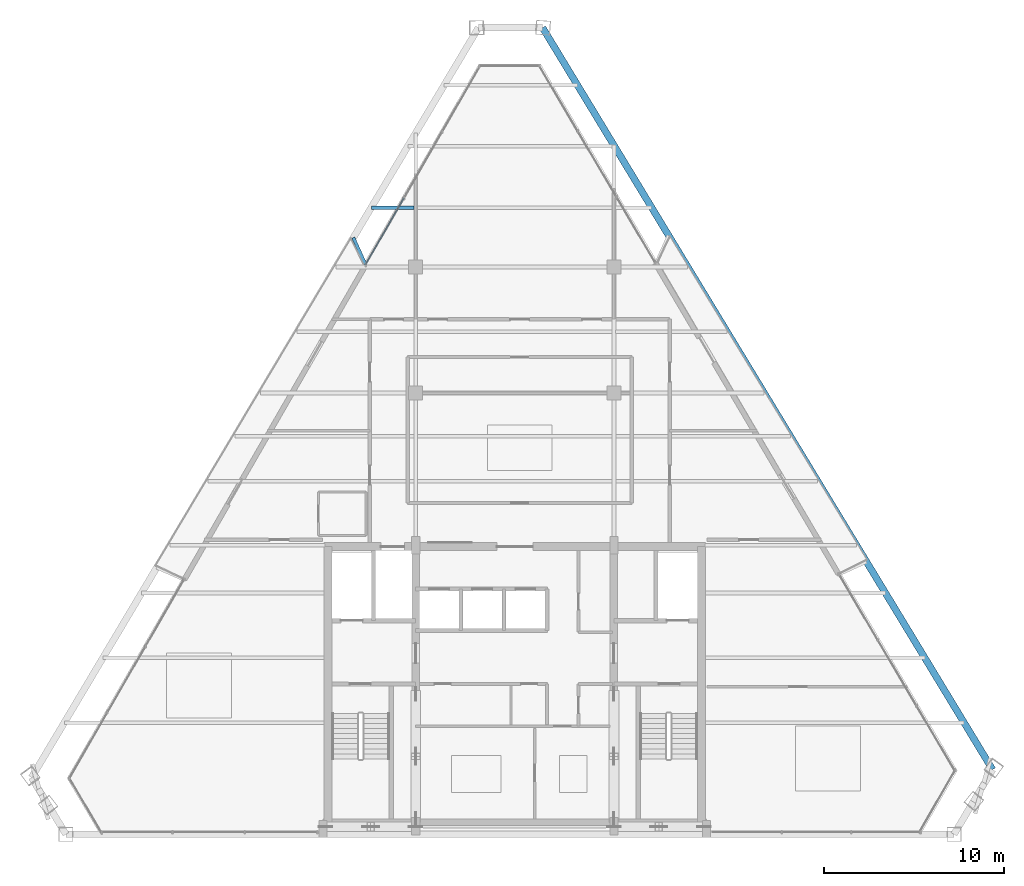
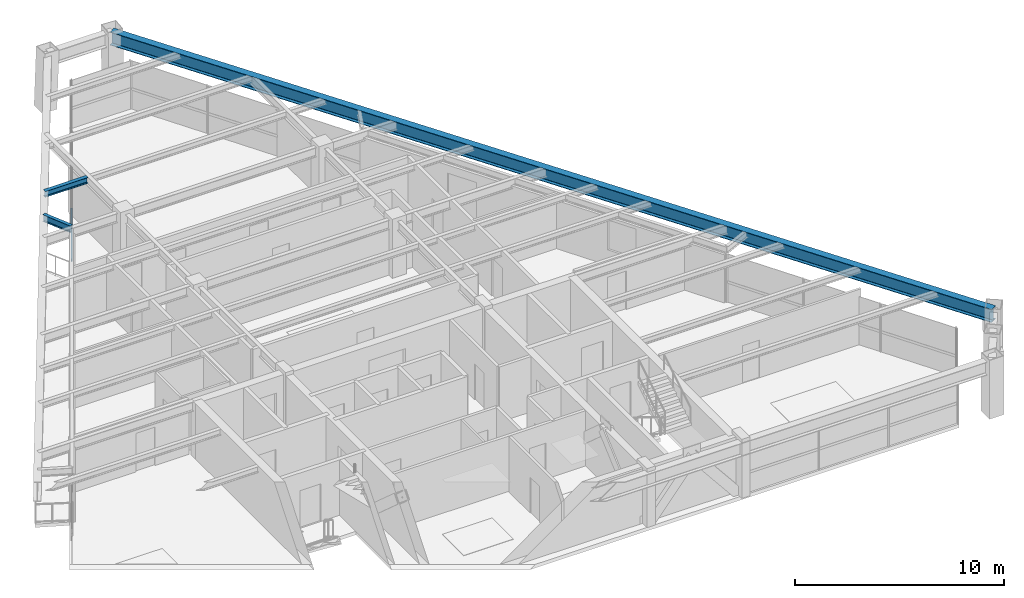
# One storey, part 6 of 13: 3 beams, 1 member, 1 element without a shape of its own.
"""IFC4 building model written with IfcOpenShell, lengths in metres."""

from ifc_helpers import new_model, si_unit, direction, frame, origin, origin_2d, place, context, subcontext, project, spatial, rectangle, i_section, extrude, source, transform, mapped, material, material_profile, profile_set, type_object, element, aggregate, save


model = new_model("IFC4")

# Units and contexts
model_context = context("Model", 3, precision=1e-05, world=origin(), true_north=direction((0.0, 1.0)))
body_context = subcontext(model_context, "Body", "Model", "MODEL_VIEW")
ifc_project = project(units=[si_unit("LENGTHUNIT", "METRE"), si_unit("AREAUNIT", "SQUARE_METRE"), si_unit("VOLUMEUNIT", "CUBIC_METRE"), si_unit("PLANEANGLEUNIT", "RADIAN"), si_unit("MASSUNIT", "GRAM", prefix="KILO")], contexts=[model_context])

# Site, building, storey
site_placement = place(None, origin())
site = spatial("IfcSite", under=ifc_project, at=site_placement, CompositionType="ELEMENT")
building_placement = place(site_placement, origin())
building = spatial("IfcBuilding", under=site, at=building_placement, Name="Varnakhor Terracotta Tower", CompositionType="ELEMENT")
storey_placement = place(building_placement, frame((0.0, 0.0, 279.89990234375)))
storey = spatial("IfcBuildingStorey", under=building, at=storey_placement, Name="L73", CompositionType="ELEMENT", Elevation=279.89990234375)

# Beams
ifc_material_1 = material(Name="Steel S355", Category="steel")
ifc_material_profile_1 = material_profile(ifc_material_1, i_section(OverallWidth=0.381103515625, OverallDepth=0.77294921875, WebThickness=0.01708984375, FlangeThickness=0.027099609375, FilletRadius=0.01806640625, at=origin_2d()), Name="W30X173")
ifc_profile_set_1 = profile_set([ifc_material_profile_1], Name="Steel S355")
beam_type_1 = type_object("IfcBeamType", Name="BM-W30X173", PredefinedType="BEAM", material=ifc_profile_set_1)
shared_shape_1 = source(origin(), body_context, "Body", "SweptSolid", [
    extrude(i_section(OverallWidth=0.381103515625, OverallDepth=0.77294921875, WebThickness=0.01708984375, FlangeThickness=0.027099609375, FilletRadius=0.01806640625, at=origin_2d()), origin(), (0.0, 0.0, 1.0), 48.181884765625),
])
beam_1_placement = place(storey_placement, frame((26.530029296875, 3.592529296875, 2.853515625), z_axis=(-0.518574127355, 0.855032674486, 0.0), x_axis=(-0.855032674486, -0.518574127355, 0.0)))
element("IfcBeam", 1, at=beam_1_placement, inside=storey, type_object=beam_type_1, Name="L73 Perimeter Spandrel 4", PredefinedType="BEAM", context=body_context, shape_type="MappedRepresentation", body=[
    mapped(shared_shape_1, transform((0.0, 0.0, 0.0), scale=1.0)),
])
ifc_material_profile_2 = material_profile(ifc_material_1, i_section(OverallWidth=0.202880859375, OverallDepth=0.346923828125, WebThickness=0.0078125, FlangeThickness=0.013427734375, FilletRadius=0.01806640625, at=origin_2d()), Name="W14X43")
ifc_profile_set_2 = profile_set([ifc_material_profile_2], Name="Steel S355")
beam_type_2 = type_object("IfcBeamType", Name="JST-W14X43", PredefinedType="JOIST", material=ifc_profile_set_2)
shared_shape_2 = source(origin(), body_context, "Body", "SweptSolid", [
    extrude(i_section(OverallWidth=0.202880859375, OverallDepth=0.346923828125, WebThickness=0.0078125, FlangeThickness=0.013427734375, FilletRadius=0.01806640625, at=origin_2d()), origin(), (0.0, 0.0, 1.0), 2.365966796875),
])
beam_2_placement = place(storey_placement, frame((-7.968994140625, 34.800048828125, 3.066650390625), z_axis=(1.0, 0.0, 0.0), x_axis=(0.0, 1.0, 0.0)))
element("IfcBeam", 2, at=beam_2_placement, inside=storey, type_object=beam_type_2, Name="L73 Composite Floor Joist 7-1", PredefinedType="JOIST", context=body_context, shape_type="MappedRepresentation", body=[
    mapped(shared_shape_2, transform((0.0, 0.0, 0.0), scale=1.0)),
])

# Curtain wall, member
ifc_material_2 = material(Name="Anodised Aluminium Curtain Wall System", Category="aluminium")
curtain_wall_type = type_object("IfcCurtainWallType", Name="CW-SYS-HOTEL-LOGGIA", PredefinedType="NOTDEFINED", material=ifc_material_2)
curtain_wall_placement = place(storey_placement, origin())
curtain_wall = element("IfcCurtainWall", 3, at=curtain_wall_placement, inside=storey, type_object=curtain_wall_type, Name="L73 W Facet Curtain Wall 2", PredefinedType="NOTDEFINED")
ifc_material_3 = material(Name="Anodised Aluminium 6063-T6", Category="aluminium")
ifc_material_profile_3 = material_profile(ifc_material_3, rectangle(XDim=0.06494140625, YDim=0.14501953125, at=origin_2d()), Name="ALU TRANSOM 65x145")
ifc_profile_set_3 = profile_set([ifc_material_profile_3], Name="Anodised Aluminium 6063-T6")
member_type = type_object("IfcMemberType", Name="CWT-04", PredefinedType="USERDEFINED", material=ifc_profile_set_3)
shared_shape_3 = source(origin(), body_context, "Body", "SweptSolid", [
    extrude(rectangle(XDim=0.06494140625, YDim=0.14501953125, at=origin_2d()), origin(), (0.0, 0.0, 1.0), 4.2529296875),
])
member_placement = place(storey_placement, frame((-8.280029296875, 31.63671875, 1.1845703125), z_axis=(0.499492173512, 0.866318399089, 0.0), x_axis=(-0.866318399089, 0.499492173512, 0.0)))
member = element("IfcMember", 4, at=member_placement, type_object=member_type, Name="L73 W Facet Curtain Wall 2 Transom 1", ObjectType="TRANSOM", PredefinedType="USERDEFINED", context=body_context, shape_type="MappedRepresentation", body=[
    mapped(shared_shape_3, transform((0.0, 0.0, 0.0), scale=1.0)),
])
aggregate(curtain_wall, [member])

# Beam
ifc_material_profile_4 = material_profile(ifc_material_1, i_section(OverallWidth=0.179931640625, OverallDepth=0.39990234375, WebThickness=0.008544921875, FlangeThickness=0.013427734375, FilletRadius=0.01806640625, at=origin_2d()), Name="IPE400")
ifc_profile_set_4 = profile_set([ifc_material_profile_4], Name="Steel S355")
beam_type_3 = type_object("IfcBeamType", Name="JST-IPE400", PredefinedType="JOIST", material=ifc_profile_set_4)
shared_shape_4 = source(origin(), body_context, "Body", "SweptSolid", [
    extrude(i_section(OverallWidth=0.179931640625, OverallDepth=0.39990234375, WebThickness=0.008544921875, FlangeThickness=0.013427734375, FilletRadius=0.01806640625, at=origin_2d()), origin(), (0.0, 0.0, 1.0), 1.63671875),
])
beam_3_placement = place(storey_placement, frame((-8.290771484375, 31.638427734375, 3.0400390625), z_axis=(-0.411542759255, 0.911390452718, 0.0), x_axis=(-0.911390452718, -0.411542759255, 0.0)))
element("IfcBeam", 5, at=beam_3_placement, inside=storey, type_object=beam_type_3, Name="L74 W Loggia Tie Beam 2", PredefinedType="JOIST", context=body_context, shape_type="MappedRepresentation", body=[
    mapped(shared_shape_4, transform((0.0, 0.0, 0.0), scale=1.0)),
])

save(model, "model.ifc")
